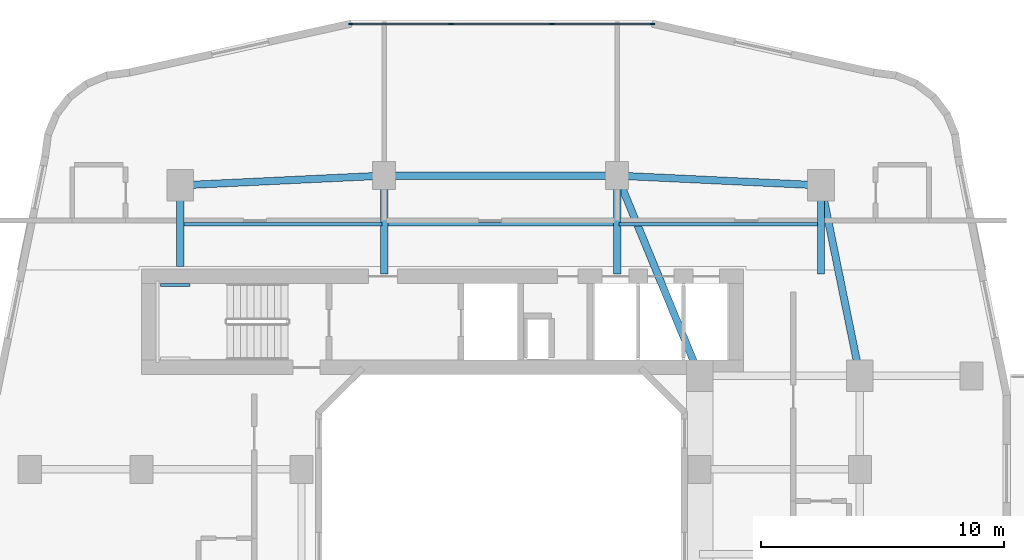
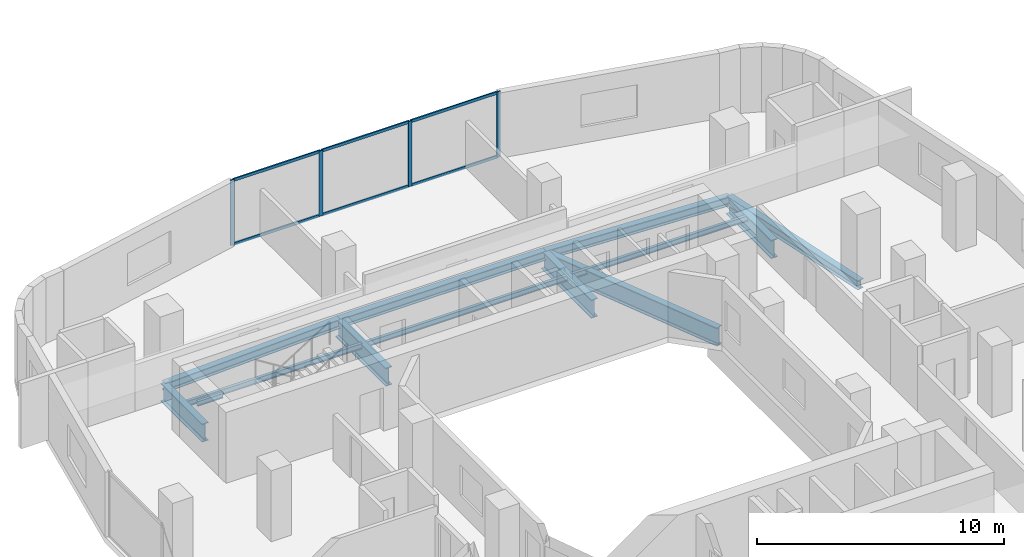
# One storey, part 6 of 25: 13 beams, 10 members, 1 element without a shape of its own.
"""IFC4 building model written with IfcOpenShell, lengths in metres."""

import ifcopenshell
import ifcopenshell.guid

model = None  # the IFC model being written
_history = None  # IfcOwnerHistory: only IFC2X3 demands one
_inside = {}  # id of a spatial element -> (the spatial element, [elements in it])
_under = {}  # id of a project, library or spatial element -> (it, [spatial elements below it])
_declared = {}  # id of a project -> (the project, [libraries it declares])
_typed = {}  # id of a type object -> (the type object, [elements of that type])
_made_of = {}  # id of a material, layer set ... -> (it, [elements and type objects made of it])


def new_model(schema):
    """Start an empty IFC model of exactly this schema.

    Asked for "IFC4X3", IfcOpenShell would pick the latest addendum, in which some entities
    have other attributes; the version numbers below select the first issue.
    IFC2X3 requires an IfcOwnerHistory on every rooted entity: one is made here for all.
    """
    global model, _history
    if schema == "IFC4X3":
        model = ifcopenshell.file(schema_version=(4, 3, 0, 0))
    else:
        model = ifcopenshell.file(schema=schema)
    _inside.clear()
    _under.clear()
    _declared.clear()
    _typed.clear()
    _made_of.clear()
    _history = None
    if model.schema == "IFC2X3":
        org = make("IfcOrganization", Name="unknown")
        user = make(
            "IfcPersonAndOrganization",
            ThePerson=make("IfcPerson", FamilyName="unknown"),
            TheOrganization=org,
        )
        app = make(
            "IfcApplication",
            ApplicationDeveloper=org,
            Version="unknown",
            ApplicationFullName="unknown",
            ApplicationIdentifier="unknown",
        )
        _history = make(
            "IfcOwnerHistory",
            OwningUser=user,
            OwningApplication=app,
            ChangeAction="ADDED",
            CreationDate=0,
        )
    return model


def make(cls, **values):
    """One entity of the class cls with the attributes given. An attribute that is None is left unset."""
    return model.create_entity(
        cls, **{name: value for name, value in values.items() if value is not None}
    )


def rooted(cls, **values):
    """An entity with a GlobalId (a new one), such as an element, a storey or a relation."""
    return make(cls, GlobalId=ifcopenshell.guid.new(), OwnerHistory=_history, **values)


def si_unit(unit_type, name, prefix=None):
    """IfcSIUnit, for example si_unit("LENGTHUNIT", "METRE", prefix="MILLI")."""
    return make("IfcSIUnit", UnitType=unit_type, Prefix=prefix, Name=name)


def derived_unit(unit_type, elements):
    """IfcDerivedUnit: a product of units, each with its exponent."""
    return make(
        "IfcDerivedUnit",
        Elements=[
            make("IfcDerivedUnitElement", Unit=unit, Exponent=power)
            for unit, power in elements
        ],
        UnitType=unit_type,
    )


def assignment(units):
    """IfcUnitAssignment: the units of a project."""
    return None if units is None else make("IfcUnitAssignment", Units=units)


def point(xyz):
    """IfcCartesianPoint."""
    return None if xyz is None else make("IfcCartesianPoint", Coordinates=xyz)


def direction(xyz):
    """IfcDirection."""
    return None if xyz is None else make("IfcDirection", DirectionRatios=xyz)


def frame(location, z_axis=None, x_axis=None):
    """IfcAxis2Placement3D, a coordinate frame: its origin and axes. An axis left out is left unset."""
    return make(
        "IfcAxis2Placement3D",
        Location=point(location),
        Axis=direction(z_axis),
        RefDirection=direction(x_axis),
    )


def frame_2d(location, x_axis=None):
    """IfcAxis2Placement2D, a coordinate frame in the plane: its origin and x axis."""
    return make(
        "IfcAxis2Placement2D", Location=point(location), RefDirection=direction(x_axis)
    )


def origin():
    """The frame at (0, 0, 0) with its axes left unset."""
    return frame((0.0, 0.0, 0.0))


def origin_2d():
    """The frame at (0, 0) in the plane with its x axis left unset."""
    return frame_2d((0.0, 0.0))


def place(relative_to, where):
    """IfcLocalPlacement: puts the frame where relative to a parent placement (None: the world)."""
    return make(
        "IfcLocalPlacement", PlacementRelTo=relative_to, RelativePlacement=where
    )


def context(
    kind, dimensions, precision=None, world=None, true_north=None, identifier=None
):
    """IfcGeometricRepresentationContext, for example the 3D "Model" context."""
    return make(
        "IfcGeometricRepresentationContext",
        ContextIdentifier=identifier,
        ContextType=kind,
        CoordinateSpaceDimension=dimensions,
        Precision=precision,
        WorldCoordinateSystem=world,
        TrueNorth=true_north,
    )


def subcontext(parent, identifier, kind, view, scale=None):
    """IfcGeometricRepresentationSubContext, for example "Body" below "Model"."""
    return make(
        "IfcGeometricRepresentationSubContext",
        ContextIdentifier=identifier,
        ContextType=kind,
        ParentContext=parent,
        TargetScale=scale,
        TargetView=view,
    )


def project(units=None, contexts=None):
    """IfcProject with its units and contexts."""
    return rooted(
        "IfcProject",
        Name="project",
        RepresentationContexts=contexts,
        UnitsInContext=assignment(units),
    )


def spatial(cls, under=None, at=None, **own):
    """A site, building, storey or space (cls), placed at a placement, below another one or the project."""
    s = rooted(cls, ObjectPlacement=at, **own)
    if under is not None:
        _under.setdefault(under.id(), (under, []))[1].append(s)
    return s


def profile(cls, at=None, kind="AREA", **sizes):
    """A parametric profile (cls). Its sizes go by their IFC names, for example OverallWidth=200.0."""
    return make(cls, ProfileType=kind, Position=at, **sizes)


def rectangle(**sizes):
    """IfcRectangleProfileDef."""
    return profile("IfcRectangleProfileDef", **sizes)


def i_section(**sizes):
    """IfcIShapeProfileDef."""
    return profile("IfcIShapeProfileDef", **sizes)


def extrude(swept, where, along, depth):
    """IfcExtrudedAreaSolid: the profile swept, set in the frame where, extruded along a direction by depth."""
    return make(
        "IfcExtrudedAreaSolid",
        SweptArea=swept,
        Position=where,
        ExtrudedDirection=direction(along),
        Depth=depth,
    )


def shape(context_of_items, identifier, shape_type, items):
    """IfcShapeRepresentation: the items that make up one representation, for example the "Body"."""
    return make(
        "IfcShapeRepresentation",
        ContextOfItems=context_of_items,
        RepresentationIdentifier=identifier,
        RepresentationType=shape_type,
        Items=items,
    )


def material(Name=None, Category=None):
    """IfcMaterial."""
    return make("IfcMaterial", Name=Name, Category=Category)


def layer(
    of_material, thickness, ventilated=None, Name=None, Category=None, Priority=None
):
    """IfcMaterialLayer: one layer of a wall or slab, of a material (None: an air gap)."""
    return make(
        "IfcMaterialLayer",
        Material=of_material,
        LayerThickness=thickness,
        IsVentilated=ventilated,
        Name=Name,
        Category=Category,
        Priority=Priority,
    )


def layer_set(layers, Name=None):
    """IfcMaterialLayerSet."""
    return make("IfcMaterialLayerSet", MaterialLayers=layers, LayerSetName=Name)


def material_profile(
    of_material, cross_section, Name=None, Category=None, Priority=None
):
    """IfcMaterialProfile: a cross section and its material."""
    return make(
        "IfcMaterialProfile",
        Name=Name,
        Material=of_material,
        Profile=cross_section,
        Priority=Priority,
        Category=Category,
    )


def profile_set(profiles, Name=None, composite=None):
    """IfcMaterialProfileSet."""
    return make(
        "IfcMaterialProfileSet",
        Name=Name,
        MaterialProfiles=profiles,
        CompositeProfile=composite,
    )


def made_of(thing, what):
    """Note that an element or type object is made of a material, layer set ...; save() writes the relation."""
    if what is not None:
        _made_of.setdefault(what.id(), (what, []))[1].append(thing)
    return thing


def type_object(cls, material=None, **own):
    """A type object (cls), such as IfcWallType, which elements share."""
    return made_of(rooted(cls, **own), material)


def element(
    cls,
    number,
    at=None,
    inside=None,
    cuts=None,
    type_object=None,
    material=None,
    context=None,
    identifier="Body",
    shape_type=None,
    held_by="IfcProductDefinitionShape",
    body=None,
    shapes=None,
    **own,
):
    """One element of the class cls, such as IfcWall. Its Tag is "e" and its number.

    at: its placement. inside: the storey or other place that contains it. cuts: it is an
    opening in that element (IfcRelVoidsElement). A single representation is given by context,
    identifier, shape_type and body (its items); several are given by shapes. held_by: the class
    of the entity that holds the representations. save() writes the other relations.
    """
    e = rooted(cls, Tag="e%d" % number, ObjectPlacement=at, **own)
    if body is not None:
        shapes = [shape(context, identifier, shape_type, body)]
    if shapes is not None:
        e.Representation = make(held_by, Representations=shapes)
    if inside is not None:
        _inside.setdefault(inside.id(), (inside, []))[1].append(e)
    if cuts is not None:
        rooted(
            "IfcRelVoidsElement", RelatingBuildingElement=cuts, RelatedOpeningElement=e
        )
    if type_object is not None:
        _typed.setdefault(type_object.id(), (type_object, []))[1].append(e)
    return made_of(e, material)


def aggregate(whole, parts):
    """IfcRelAggregates: a whole, such as a stair, and the parts it consists of."""
    return rooted("IfcRelAggregates", RelatingObject=whole, RelatedObjects=parts)


def save(model, path):
    """Write the relations noted so far, then the file.

    IfcRelAggregates (storeys below a building ...), IfcRelContainedInSpatialStructure (elements
    in a storey), IfcRelDefinesByType, IfcRelAssociatesMaterial and IfcRelDeclares: one each for
    every whole, place, type object, material and project.
    """
    for whole, parts in _under.values():
        aggregate(whole, parts)
    for where, things in _inside.values():
        rooted(
            "IfcRelContainedInSpatialStructure",
            RelatedElements=things,
            RelatingStructure=where,
        )
    for kind, things in _typed.values():
        rooted("IfcRelDefinesByType", RelatedObjects=things, RelatingType=kind)
    for what, things in _made_of.values():
        rooted("IfcRelAssociatesMaterial", RelatedObjects=things, RelatingMaterial=what)
    for by, libraries in _declared.values():
        rooted("IfcRelDeclares", RelatingContext=by, RelatedDefinitions=libraries)
    model.write(path)


model = new_model("IFC4")

# Units and contexts
model_context = context("Model", 3, precision=1e-05, world=origin(), true_north=direction((0.0, 1.0)))
body_context = subcontext(model_context, "Body", "Model", "MODEL_VIEW")
ifc_project = project(units=[si_unit("LENGTHUNIT", "METRE"), si_unit("AREAUNIT", "SQUARE_METRE"), si_unit("VOLUMEUNIT", "CUBIC_METRE"), si_unit("PLANEANGLEUNIT", "RADIAN"), si_unit("MASSUNIT", "GRAM", prefix="KILO"), derived_unit("THERMALTRANSMITTANCEUNIT", [(si_unit("POWERUNIT", "WATT"), 1), (si_unit("LENGTHUNIT", "METRE"), -2), (si_unit("THERMODYNAMICTEMPERATUREUNIT", "KELVIN"), -1)])], contexts=[model_context])

# Site, building, storey
site_placement = place(None, origin())
site = spatial("IfcSite", under=ifc_project, at=site_placement, CompositionType="ELEMENT")
building_placement = place(site_placement, origin())
building = spatial("IfcBuilding", under=site, at=building_placement, Name="Kivonza Crest Hotel", CompositionType="ELEMENT")
storey_placement = place(building_placement, frame((0.0, 0.0, 24.0)))
storey = spatial("IfcBuildingStorey", under=building, at=storey_placement, Name="L05", CompositionType="ELEMENT", Elevation=24.0)

# Beams
ifc_material_1 = material(Name="Steel S355", Category="steel")
ifc_material_profile_1 = material_profile(ifc_material_1, i_section(OverallWidth=0.300048828125, OverallDepth=0.449951171875, WebThickness=0.013916015625, FlangeThickness=0.02587890625, FilletRadius=0.027099609375, at=origin_2d()), Name="HEB 450")
ifc_profile_set_1 = profile_set([ifc_material_profile_1], Name="Steel S355")
beam_type_1 = type_object("IfcBeamType", Name="BM-HEB450", PredefinedType="SPANDREL", material=ifc_profile_set_1)
beam_1_placement = place(storey_placement, frame((35.800048828125, 32.35009765625, -0.5048828125), z_axis=(-0.199730733965, 0.979850822273, 0.0), x_axis=(-0.979850822273, -0.199730733965, 0.0)))
element("IfcBeam", 1, at=beam_1_placement, inside=storey, type_object=beam_type_1, Name="Tower T1 L05 perimeter spandrel PNE-NE", PredefinedType="SPANDREL", context=body_context, shape_type="SweptSolid", body=[
    extrude(i_section(OverallWidth=0.300048828125, OverallDepth=0.449951171875, WebThickness=0.013916015625, FlangeThickness=0.02587890625, FilletRadius=0.027099609375, at=origin_2d()), origin(), (0.0, 0.0, 1.0), 8.01123046875),
])
beam_2_placement = place(storey_placement, frame((34.199951171875, 40.199951171875, -0.5048828125), z_axis=(-0.998867283688, 0.047583080799, 0.0), x_axis=(-0.047583080799, -0.998867283688, 0.0)))
element("IfcBeam", 2, at=beam_2_placement, inside=storey, type_object=beam_type_1, Name="Tower T1 L05 perimeter spandrel NE-N2", PredefinedType="SPANDREL", context=body_context, shape_type="SweptSolid", body=[
    extrude(i_section(OverallWidth=0.300048828125, OverallDepth=0.449951171875, WebThickness=0.013916015625, FlangeThickness=0.02587890625, FilletRadius=0.027099609375, at=origin_2d()), origin(), (0.0, 0.0, 1.0), 8.409423828125),
])
beam_3_placement = place(storey_placement, frame((25.800048828125, 40.60009765625, -0.5048828125), z_axis=(-1.0, 0.0, 0.0), x_axis=(0.0, -1.0, 0.0)))
element("IfcBeam", 3, at=beam_3_placement, inside=storey, type_object=beam_type_1, Name="Tower T1 L05 perimeter spandrel N2-N1", PredefinedType="SPANDREL", context=body_context, shape_type="SweptSolid", body=[
    extrude(i_section(OverallWidth=0.300048828125, OverallDepth=0.449951171875, WebThickness=0.013916015625, FlangeThickness=0.02587890625, FilletRadius=0.027099609375, at=origin_2d()), origin(), (0.0, 0.0, 1.0), 9.60009765625),
])
beam_4_placement = place(storey_placement, frame((16.199951171875, 40.60009765625, -0.5048828125), z_axis=(-0.998867283688, -0.047583080799, 0.0), x_axis=(0.047583080799, -0.998867283688, 0.0)))
element("IfcBeam", 4, at=beam_4_placement, inside=storey, type_object=beam_type_1, Name="Tower T1 L05 perimeter spandrel N1-NW", PredefinedType="SPANDREL", context=body_context, shape_type="SweptSolid", body=[
    extrude(i_section(OverallWidth=0.300048828125, OverallDepth=0.449951171875, WebThickness=0.013916015625, FlangeThickness=0.02587890625, FilletRadius=0.027099609375, at=origin_2d()), origin(), (0.0, 0.0, 1.0), 8.409423828125),
])
ifc_material_profile_2 = material_profile(ifc_material_1, i_section(OverallWidth=0.300048828125, OverallDepth=0.89990234375, WebThickness=0.0185546875, FlangeThickness=0.034912109375, FilletRadius=0.030029296875, at=origin_2d()), Name="HEB 900")
ifc_profile_set_2 = profile_set([ifc_material_profile_2], Name="Steel S355")
beam_type_2 = type_object("IfcBeamType", Name="BM-HEB900", PredefinedType="BEAM", material=ifc_profile_set_2)
beam_5_placement = place(storey_placement, frame((25.800048828125, 40.60009765625, -0.72998046875), z_axis=(0.381022260404, -0.924565864109, 0.0), x_axis=(0.924565864109, 0.381022260404, 0.0)))
element("IfcBeam", 5, at=beam_5_placement, inside=storey, type_object=beam_type_2, Name="Tower T1 L05 primary girder N1-TNE", PredefinedType="BEAM", context=body_context, shape_type="SweptSolid", body=[
    extrude(i_section(OverallWidth=0.300048828125, OverallDepth=0.89990234375, WebThickness=0.0185546875, FlangeThickness=0.034912109375, FilletRadius=0.030029296875, at=origin_2d()), origin(), (0.0, 0.0, 1.0), 8.923095703125),
])
beam_6_placement = place(storey_placement, frame((7.800048828125, 40.199951171875, -0.72998046875), z_axis=(0.0, -1.0, 0.0), x_axis=(1.0, 0.0, 0.0)))
element("IfcBeam", 6, at=beam_6_placement, inside=storey, type_object=beam_type_2, Name="Tower T1 L05 radial core girder RNW", PredefinedType="BEAM", context=body_context, shape_type="SweptSolid", body=[
    extrude(i_section(OverallWidth=0.300048828125, OverallDepth=0.89990234375, WebThickness=0.0185546875, FlangeThickness=0.034912109375, FilletRadius=0.030029296875, at=origin_2d()), origin(), (0.0, 0.0, 1.0), 3.349853515625),
])
for number, where, z_axis, x_axis, name in (
    (7, (16.199951171875, 40.60009765625, -0.72998046875), (0.0, -1.0, 0.0), (1.0, 0.0, 0.0), "Tower T1 L05 radial core girder RN1"),
    (8, (25.800048828125, 40.60009765625, -0.72998046875), (0.0, -1.0, 0.0), (1.0, 0.0, 0.0), "Tower T1 L05 radial core girder RN2"),
):
    element("IfcBeam", number, at=place(storey_placement, frame(where, z_axis=z_axis, x_axis=x_axis)), inside=storey, type_object=beam_type_2, Name=name, PredefinedType="BEAM", context=body_context, shape_type="SweptSolid", body=[
        extrude(i_section(OverallWidth=0.300048828125, OverallDepth=0.89990234375, WebThickness=0.0185546875, FlangeThickness=0.034912109375, FilletRadius=0.030029296875, at=origin_2d()), origin(), (0.0, 0.0, 1.0), 4.050048828125),
    ])
beam_7_placement = place(storey_placement, frame((34.199951171875, 40.199951171875, -0.72998046875), z_axis=(0.0, -1.0, 0.0), x_axis=(1.0, 0.0, 0.0)))
element("IfcBeam", 9, at=beam_7_placement, inside=storey, type_object=beam_type_2, Name="Tower T1 L05 radial core girder RNE", PredefinedType="BEAM", context=body_context, shape_type="SweptSolid", body=[
    extrude(i_section(OverallWidth=0.300048828125, OverallDepth=0.89990234375, WebThickness=0.0185546875, FlangeThickness=0.034912109375, FilletRadius=0.030029296875, at=origin_2d()), origin(), (0.0, 0.0, 1.0), 3.64990234375),
])
ifc_material_profile_3 = material_profile(ifc_material_1, i_section(OverallWidth=0.135009765625, OverallDepth=0.27001953125, WebThickness=0.006591796875, FlangeThickness=0.01025390625, FilletRadius=0.014892578125, at=origin_2d()), Name="IPE 270")
ifc_profile_set_3 = profile_set([ifc_material_profile_3], Name="Steel S355")
beam_type_3 = type_object("IfcBeamType", Name="BM-IPE270", PredefinedType="JOIST", material=ifc_profile_set_3)
beam_8_placement = place(storey_placement, frame((7.8798828125, 38.60009765625, -0.4150390625), z_axis=(1.0, 0.0, 0.0), x_axis=(0.0, 1.0, 0.0)))
element("IfcBeam", 10, at=beam_8_placement, inside=storey, type_object=beam_type_3, Name="Tower T1 L05 North-West floor joist", PredefinedType="JOIST", context=body_context, shape_type="SweptSolid", body=[
    extrude(i_section(OverallWidth=0.135009765625, OverallDepth=0.27001953125, WebThickness=0.006591796875, FlangeThickness=0.01025390625, FilletRadius=0.014892578125, at=origin_2d()), origin(), (0.0, 0.0, 1.0), 8.240234375),
])
beam_9_placement = place(storey_placement, frame((16.280029296875, 38.60009765625, -0.4150390625), z_axis=(1.0, 0.0, 0.0), x_axis=(0.0, 1.0, 0.0)))
element("IfcBeam", 11, at=beam_9_placement, inside=storey, type_object=beam_type_3, Name="Tower T1 L05 North-Mid floor joist", PredefinedType="JOIST", context=body_context, shape_type="SweptSolid", body=[
    extrude(i_section(OverallWidth=0.135009765625, OverallDepth=0.27001953125, WebThickness=0.006591796875, FlangeThickness=0.01025390625, FilletRadius=0.014892578125, at=origin_2d()), origin(), (0.0, 0.0, 1.0), 9.43994140625),
])
beam_10_placement = place(storey_placement, frame((25.8798828125, 38.60009765625, -0.4150390625), z_axis=(1.0, 0.0, 0.0), x_axis=(0.0, 1.0, 0.0)))
element("IfcBeam", 12, at=beam_10_placement, inside=storey, type_object=beam_type_3, Name="Tower T1 L05 North-East floor joist", PredefinedType="JOIST", context=body_context, shape_type="SweptSolid", body=[
    extrude(i_section(OverallWidth=0.135009765625, OverallDepth=0.27001953125, WebThickness=0.006591796875, FlangeThickness=0.01025390625, FilletRadius=0.014892578125, at=origin_2d()), origin(), (0.0, 0.0, 1.0), 8.240234375),
])
ifc_material_profile_4 = material_profile(ifc_material_1, i_section(OverallWidth=0.1201171875, OverallDepth=0.239990234375, WebThickness=0.006103515625, FlangeThickness=0.009765625, FilletRadius=0.014892578125, at=origin_2d()), Name="IPE 240")
ifc_profile_set_4 = profile_set([ifc_material_profile_4], Name="Steel S355")
beam_type_4 = type_object("IfcBeamType", Name="BM-LLDG-240", PredefinedType="BEAM", material=ifc_profile_set_4)
beam_11_placement = place(storey_placement, frame((6.989990234375, 36.10009765625, 1.429931640625), z_axis=(1.0, 0.0, 0.0), x_axis=(0.0, 1.0, 0.0)))
element("IfcBeam", 13, at=beam_11_placement, inside=storey, type_object=beam_type_4, Name="Stair ST-T1-N L05 North landing corbel", PredefinedType="BEAM", context=body_context, shape_type="SweptSolid", body=[
    extrude(i_section(OverallWidth=0.1201171875, OverallDepth=0.239990234375, WebThickness=0.006103515625, FlangeThickness=0.009765625, FilletRadius=0.014892578125, at=origin_2d()), origin(), (0.0, 0.0, 1.0), 1.2099609375),
])

# Curtain wall, members
ifc_material_2 = material(Name="Anodised bronze aluminium and low-E double glazing", Category="aluminium")
ifc_layer = layer(ifc_material_2, 0.179931640625)
ifc_layer_set = layer_set([ifc_layer], Name="Anodised bronze aluminium and low-E double glazing")
curtain_wall_type = type_object("IfcCurtainWallType", Name="CW-SYS-2", PredefinedType="NOTDEFINED", material=ifc_layer_set)
curtain_wall_placement = place(storey_placement, origin())
curtain_wall = element("IfcCurtainWall", 14, at=curtain_wall_placement, inside=storey, type_object=curtain_wall_type, Name="L05 unitised curtain wall CW-T1-L05-26", PredefinedType="NOTDEFINED")
ifc_material_3 = material(Name="Anodised bronze aluminium", Category="aluminium")
ifc_material_profile_5 = material_profile(ifc_material_3, rectangle(XDim=0.06494140625, YDim=0.179931640625, at=origin_2d()), Name="CW-M 65x180")
ifc_profile_set_5 = profile_set([ifc_material_profile_5], Name="Anodised bronze aluminium")
member_type_1 = type_object("IfcMemberType", Name="CW-MUL-65x180", PredefinedType="MULLION", material=ifc_profile_set_5)
member_1_placement = place(storey_placement, frame((27.255615234375, 46.840087890625, 0.0), z_axis=(0.0, 0.0, 1.0), x_axis=(0.0, -1.0, 0.0)))
member_1 = element("IfcMember", 15, at=member_1_placement, type_object=member_type_1, Name="CW-2 mullion 1", PredefinedType="MULLION", context=body_context, shape_type="SweptSolid", body=[
    extrude(rectangle(XDim=0.06494140625, YDim=0.179931640625, at=origin_2d()), origin(), (0.0, 0.0, 1.0), 3.219970703125),
])
member_2_placement = place(storey_placement, frame((23.12255859375, 46.840087890625, 0.0), z_axis=(0.0, 0.0, 1.0), x_axis=(0.0, -1.0, 0.0)))
member_2 = element("IfcMember", 16, at=member_2_placement, type_object=member_type_1, Name="CW-2 mullion 2", PredefinedType="MULLION", context=body_context, shape_type="SweptSolid", body=[
    extrude(rectangle(XDim=0.06494140625, YDim=0.179931640625, at=origin_2d()), origin(), (0.0, 0.0, 1.0), 3.219970703125),
])
member_3_placement = place(storey_placement, frame((18.957275390625, 46.840087890625, 0.0), z_axis=(0.0, 0.0, 1.0), x_axis=(0.0, -1.0, 0.0)))
member_3 = element("IfcMember", 17, at=member_3_placement, type_object=member_type_1, Name="CW-2 mullion 3", PredefinedType="MULLION", context=body_context, shape_type="SweptSolid", body=[
    extrude(rectangle(XDim=0.06494140625, YDim=0.179931640625, at=origin_2d()), origin(), (0.0, 0.0, 1.0), 3.219970703125),
])
member_4_placement = place(storey_placement, frame((14.824462890625, 46.840087890625, 0.0), z_axis=(0.0, 0.0, 1.0), x_axis=(0.0, -1.0, 0.0)))
member_4 = element("IfcMember", 18, at=member_4_placement, type_object=member_type_1, Name="CW-2 mullion 4", PredefinedType="MULLION", context=body_context, shape_type="SweptSolid", body=[
    extrude(rectangle(XDim=0.06494140625, YDim=0.179931640625, at=origin_2d()), origin(), (0.0, 0.0, 1.0), 3.219970703125),
])
ifc_material_profile_6 = material_profile(ifc_material_3, rectangle(XDim=0.06494140625, YDim=0.139892578125, at=origin_2d()), Name="CW-T 65x140")
ifc_profile_set_6 = profile_set([ifc_material_profile_6], Name="Anodised bronze aluminium")
member_type_2 = type_object("IfcMemberType", Name="CW-TRN-65x140", PredefinedType="USERDEFINED", material=ifc_profile_set_6)
member_5_placement = place(storey_placement, frame((27.222900390625, 46.840087890625, 0.032470703125), z_axis=(-1.0, 0.0, 0.0), x_axis=(0.0, -1.0, 0.0)))
member_5 = element("IfcMember", 19, at=member_5_placement, type_object=member_type_2, Name="CW-2 transom 1.1", ObjectType="TRANSOM", PredefinedType="USERDEFINED", context=body_context, shape_type="SweptSolid", body=[
    extrude(rectangle(XDim=0.06494140625, YDim=0.139892578125, at=origin_2d()), origin(), (0.0, 0.0, 1.0), 4.067626953125),
])
member_6_placement = place(storey_placement, frame((27.222900390625, 46.840087890625, 3.1875), z_axis=(-1.0, 0.0, 0.0), x_axis=(0.0, -1.0, 0.0)))
member_6 = element("IfcMember", 20, at=member_6_placement, type_object=member_type_2, Name="CW-2 transom 1.2", ObjectType="TRANSOM", PredefinedType="USERDEFINED", context=body_context, shape_type="SweptSolid", body=[
    extrude(rectangle(XDim=0.06494140625, YDim=0.139892578125, at=origin_2d()), origin(), (0.0, 0.0, 1.0), 4.067626953125),
])
member_7_placement = place(storey_placement, frame((23.090087890625, 46.840087890625, 0.032470703125), z_axis=(-1.0, 0.0, 0.0), x_axis=(0.0, -1.0, 0.0)))
member_7 = element("IfcMember", 21, at=member_7_placement, type_object=member_type_2, Name="CW-2 transom 2.1", ObjectType="TRANSOM", PredefinedType="USERDEFINED", context=body_context, shape_type="SweptSolid", body=[
    extrude(rectangle(XDim=0.06494140625, YDim=0.139892578125, at=origin_2d()), origin(), (0.0, 0.0, 1.0), 4.100341796875),
])
member_8_placement = place(storey_placement, frame((23.090087890625, 46.840087890625, 3.1875), z_axis=(-1.0, 0.0, 0.0), x_axis=(0.0, -1.0, 0.0)))
member_8 = element("IfcMember", 22, at=member_8_placement, type_object=member_type_2, Name="CW-2 transom 2.2", ObjectType="TRANSOM", PredefinedType="USERDEFINED", context=body_context, shape_type="SweptSolid", body=[
    extrude(rectangle(XDim=0.06494140625, YDim=0.139892578125, at=origin_2d()), origin(), (0.0, 0.0, 1.0), 4.100341796875),
])
member_9_placement = place(storey_placement, frame((18.9248046875, 46.840087890625, 0.032470703125), z_axis=(-1.0, 0.0, 0.0), x_axis=(0.0, -1.0, 0.0)))
member_9 = element("IfcMember", 23, at=member_9_placement, type_object=member_type_2, Name="CW-2 transom 3.1", ObjectType="TRANSOM", PredefinedType="USERDEFINED", context=body_context, shape_type="SweptSolid", body=[
    extrude(rectangle(XDim=0.06494140625, YDim=0.139892578125, at=origin_2d()), origin(), (0.0, 0.0, 1.0), 4.06787109375),
])
member_10_placement = place(storey_placement, frame((18.9248046875, 46.840087890625, 3.1875), z_axis=(-1.0, 0.0, 0.0), x_axis=(0.0, -1.0, 0.0)))
member_10 = element("IfcMember", 24, at=member_10_placement, type_object=member_type_2, Name="CW-2 transom 3.2", ObjectType="TRANSOM", PredefinedType="USERDEFINED", context=body_context, shape_type="SweptSolid", body=[
    extrude(rectangle(XDim=0.06494140625, YDim=0.139892578125, at=origin_2d()), origin(), (0.0, 0.0, 1.0), 4.06787109375),
])
aggregate(curtain_wall, [member_1, member_2, member_3, member_4, member_5, member_6, member_7, member_8, member_9, member_10])

save(model, "model.ifc")
